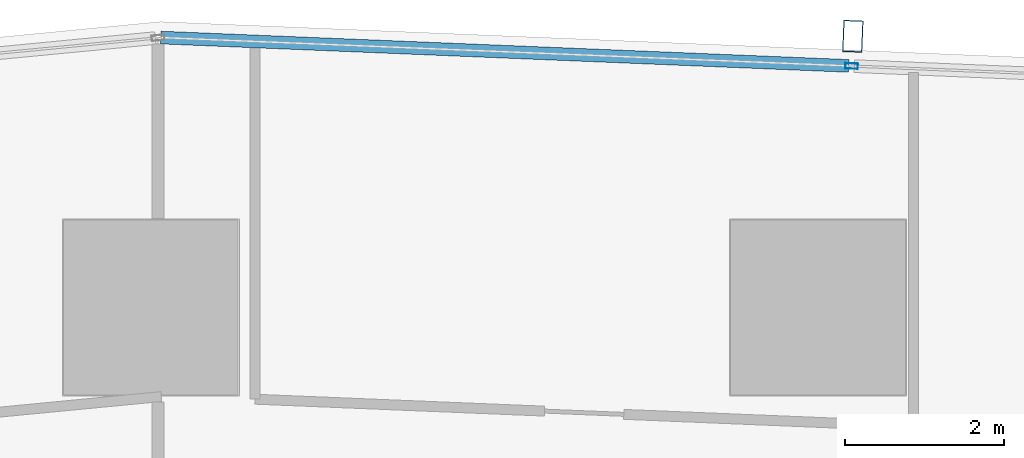
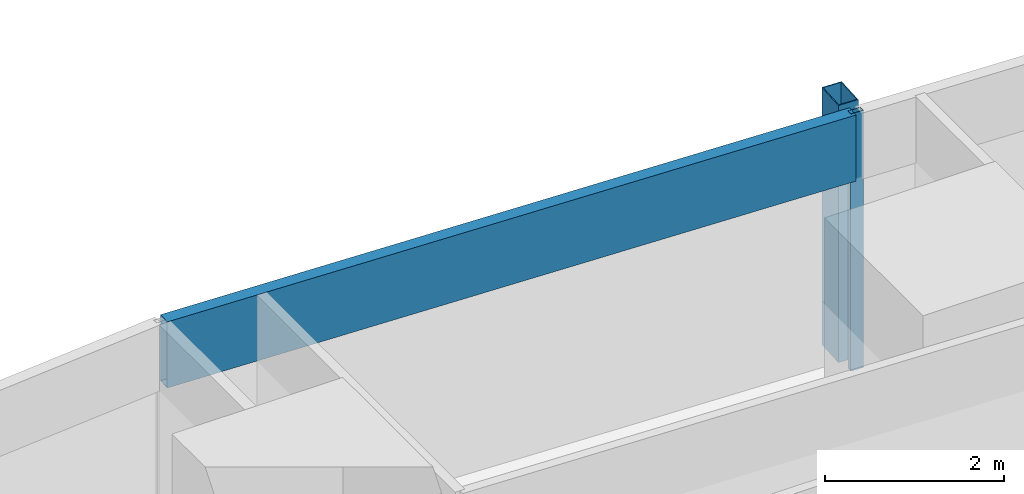
# One storey, part 18 of 45: 3 members, 1 element without a shape of its own.
"""IFC4 building model written with IfcOpenShell, lengths in metres."""

from ifc_helpers import new_model, si_unit, direction, frame, origin, origin_2d, place, context, subcontext, project, spatial, hollow_rectangle, extrude, material, material_profile, profile_set, type_object, element, aggregate, save


model = new_model("IFC4")

# Units and contexts
model_context = context("Model", 3, precision=1e-05, world=origin(), true_north=direction((0.0, 1.0)))
body_context = subcontext(model_context, "Body", "Model", "MODEL_VIEW")
ifc_project = project(units=[si_unit("LENGTHUNIT", "METRE"), si_unit("AREAUNIT", "SQUARE_METRE"), si_unit("VOLUMEUNIT", "CUBIC_METRE"), si_unit("PLANEANGLEUNIT", "RADIAN"), si_unit("MASSUNIT", "GRAM", prefix="KILO")], contexts=[model_context])

# Site, building, storey
site_placement = place(None, origin())
site = spatial("IfcSite", under=ifc_project, at=site_placement, CompositionType="ELEMENT")
building_placement = place(site_placement, origin())
building = spatial("IfcBuilding", under=site, at=building_placement, Name="Rekha Terrace Tower", CompositionType="ELEMENT")
storey_placement = place(building_placement, frame((0.0, 0.0, 36.64990234375)))
storey = spatial("IfcBuildingStorey", under=building, at=storey_placement, Name="L08", CompositionType="ELEMENT", Elevation=36.64990234375)

# Curtain wall, members
ifc_material_1 = material(Name="Aluminium framing", Category="aluminium")
curtain_wall_type = type_object("IfcCurtainWallType", Name="CW3 north unitised glazing", PredefinedType="USERDEFINED", material=ifc_material_1)
curtain_wall_placement = place(storey_placement, origin())
curtain_wall = element("IfcCurtainWall", 1, at=curtain_wall_placement, inside=storey, type_object=curtain_wall_type, Name="CW3 unitised curtain wall", ObjectType="UNITISED CURTAIN WALL", PredefinedType="USERDEFINED")
ifc_material_2 = material(Name="Steel S355 with fluorocarbon finish", Category="steel")
ifc_material_profile_1 = material_profile(ifc_material_2, hollow_rectangle(XDim=0.25, YDim=0.39990234375, WallThickness=0.012451171875, at=origin_2d()), Name="RHS400x250x12.5")
ifc_profile_set_1 = profile_set([ifc_material_profile_1], Name="Steel S355 with fluorocarbon finish")
member_type_1 = type_object("IfcMemberType", Name="BL1 facade blade RHS 400 x 250", PredefinedType="USERDEFINED", material=ifc_profile_set_1)
member_1_placement = place(storey_placement, frame((34.037353515625, 62.2158203125, 0.0), z_axis=(0.0, 0.0, 1.0), x_axis=(-0.99915196507, 0.041174636562, 0.0)))
member_1 = element("IfcMember", 2, at=member_1_placement, type_object=member_type_1, Name="Facade blade", ObjectType="FACADE BLADE", PredefinedType="USERDEFINED", context=body_context, shape_type="SweptSolid", body=[
    extrude(hollow_rectangle(XDim=0.25, YDim=0.39990234375, WallThickness=0.012451171875, at=origin_2d()), origin(), (0.0, 0.0, 1.0), 3.5),
])
ifc_material_3 = material(Name="Aluminium mullion section", Category="aluminium")
ifc_material_profile_2 = material_profile(ifc_material_3, hollow_rectangle(XDim=0.070068359375, YDim=0.159912109375, WallThickness=0.00390625, at=origin_2d()), Name="AL RHS 70x160")
ifc_profile_set_2 = profile_set([ifc_material_profile_2], Name="Aluminium mullion section")
member_type_2 = type_object("IfcMemberType", Name="CW3 mullion RHS 70 x 160", PredefinedType="MULLION", material=ifc_profile_set_2)
member_2_placement = place(storey_placement, frame((34.02197265625, 61.84130859375, 0.0), z_axis=(0.0, 0.0, 1.0), x_axis=(-0.041173846041, -0.999151997647, 0.0)))
member_2 = element("IfcMember", 3, at=member_2_placement, type_object=member_type_2, Name="CW3 mullion 5", PredefinedType="MULLION", context=body_context, shape_type="SweptSolid", body=[
    extrude(hollow_rectangle(XDim=0.070068359375, YDim=0.159912109375, WallThickness=0.00390625, at=origin_2d()), origin(), (0.0, 0.0, 1.0), 3.5),
])
ifc_material_4 = material(Name="Insulated aluminium spandrel box", Category="aluminium")
ifc_material_profile_3 = material_profile(ifc_material_4, hollow_rectangle(XDim=0.159912109375, YDim=0.89990234375, WallThickness=0.0029296875, at=origin_2d()), Name="AL SPANDREL BOX 160x900")
ifc_profile_set_3 = profile_set([ifc_material_profile_3], Name="Insulated aluminium spandrel box")
member_type_3 = type_object("IfcMemberType", Name="CW3 spandrel transom 160 x 900", PredefinedType="USERDEFINED", material=ifc_profile_set_3)
member_3_placement = place(storey_placement, frame((33.987060546875, 61.8427734375, 3.050048828125), z_axis=(-0.999152004012, 0.04117369158, 0.0), x_axis=(-0.04117369158, -0.999152004012, 0.0)))
member_3 = element("IfcMember", 4, at=member_3_placement, type_object=member_type_3, Name="CW3 spandrel transom 5", ObjectType="TRANSOM", PredefinedType="USERDEFINED", context=body_context, shape_type="SweptSolid", body=[
    extrude(hollow_rectangle(XDim=0.159912109375, YDim=0.89990234375, WallThickness=0.0029296875, at=origin_2d()), origin(), (0.0, 0.0, 1.0), 8.6689453125),
])
aggregate(curtain_wall, [member_2, member_3, member_1])

save(model, "model.ifc")
